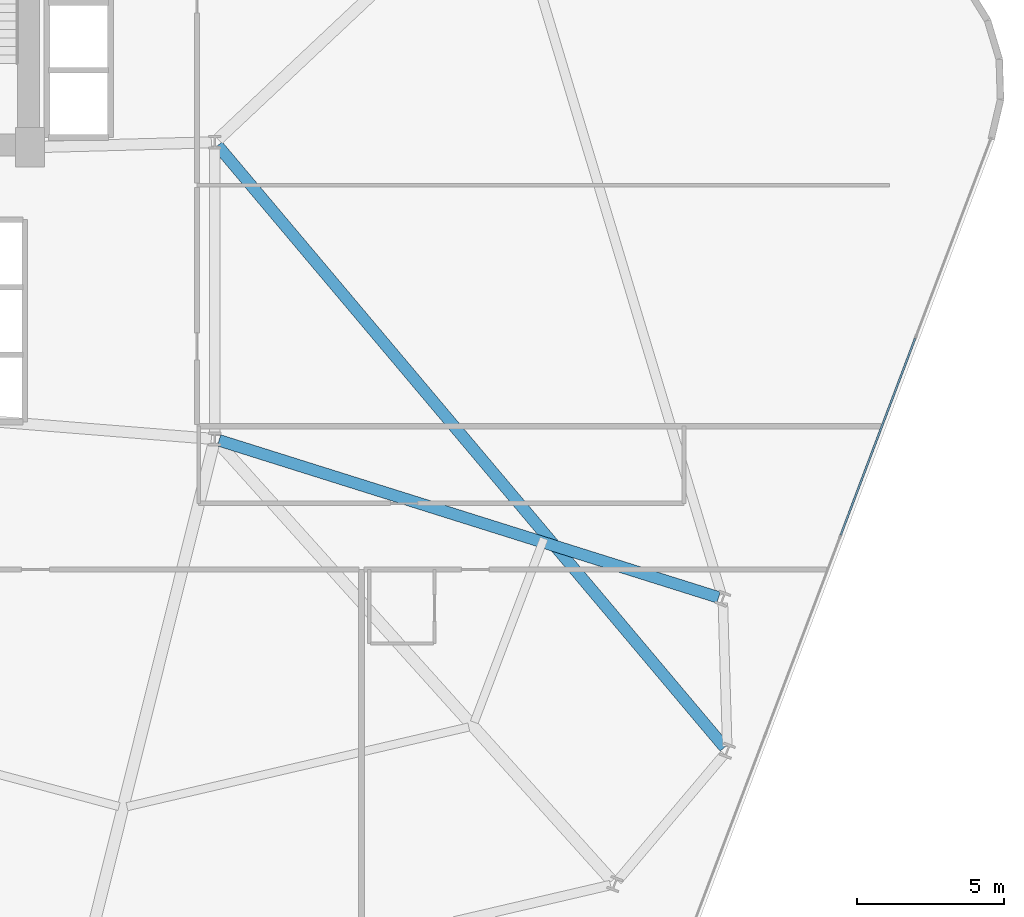
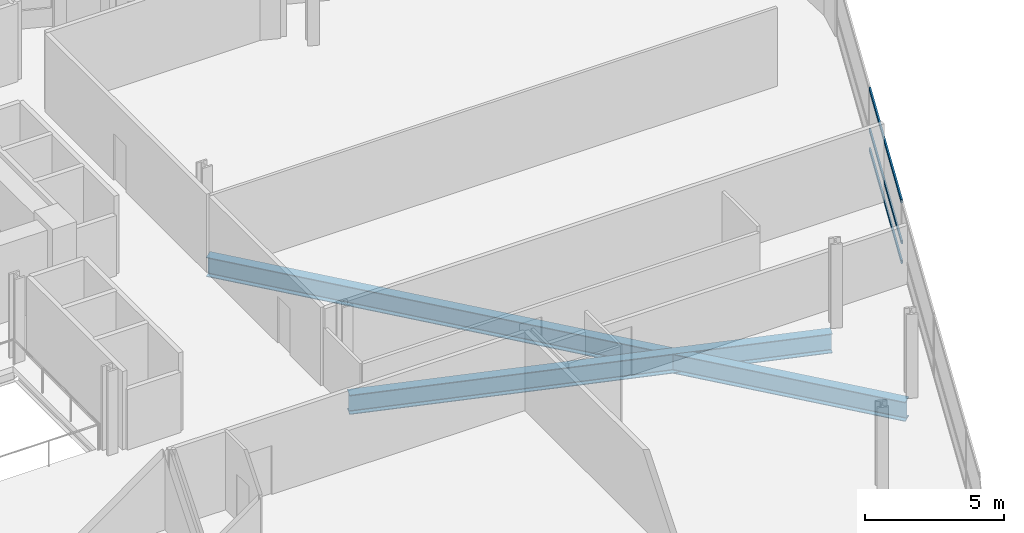
# One storey, part 12 of 24: 3 members, 2 beams, 1 element without a shape of its own.
"""IFC4 building model written with IfcOpenShell, lengths in metres."""

from ifc_helpers import new_model, si_unit, direction, frame, origin, origin_2d, place, context, subcontext, project, spatial, hollow_rectangle, i_section, extrude, material, layer, layer_set, material_profile, profile_set, type_object, element, aggregate, save


model = new_model("IFC4")

# Units and contexts
model_context = context("Model", 3, precision=1e-05, world=origin(), true_north=direction((0.0, 1.0)))
body_context = subcontext(model_context, "Body", "Model", "MODEL_VIEW")
ifc_project = project(units=[si_unit("LENGTHUNIT", "METRE"), si_unit("AREAUNIT", "SQUARE_METRE"), si_unit("VOLUMEUNIT", "CUBIC_METRE"), si_unit("PLANEANGLEUNIT", "RADIAN"), si_unit("MASSUNIT", "GRAM", prefix="KILO")], contexts=[model_context])

# Site, building, storey
site_placement = place(None, origin())
site = spatial("IfcSite", under=ifc_project, at=site_placement, CompositionType="ELEMENT")
building_placement = place(site_placement, origin())
building = spatial("IfcBuilding", under=site, at=building_placement, Name="Varnelok Gate Tower", CompositionType="ELEMENT")
storey_placement = place(building_placement, frame((0.0, 0.0, 87.300048828125)))
storey = spatial("IfcBuildingStorey", under=building, at=storey_placement, Name="L21", CompositionType="ELEMENT", Elevation=87.300048828125)

# Beams
ifc_material_1 = material(Name="Structural Steel ASTM A992 Grade 50", Category="steel")
ifc_material_profile_1 = material_profile(ifc_material_1, i_section(OverallWidth=0.39892578125, OverallDepth=0.85498046875, WebThickness=0.018310546875, FlangeThickness=0.029296875, FilletRadius=0.02392578125, at=origin_2d()), Name="W33X201")
ifc_profile_set_1 = profile_set([ifc_material_profile_1], Name="Structural Steel ASTM A992 Grade 50")
beam_type = type_object("IfcBeamType", Name="BM-PRI-W33X201", PredefinedType="BEAM", material=ifc_profile_set_1)
beam_1_placement = place(storey_placement, frame((54.0966796875, 28.805419921875, -0.677490234375), z_axis=(0.644241110533, -0.764822457502, 0.0), x_axis=(0.764822457502, 0.644241110533, 0.0)))
element("IfcBeam", 1, at=beam_1_placement, inside=storey, type_object=beam_type, Name="L21 Radial Floor Girder 7", PredefinedType="BEAM", context=body_context, shape_type="SweptSolid", body=[
    extrude(i_section(OverallWidth=0.39892578125, OverallDepth=0.85498046875, WebThickness=0.018310546875, FlangeThickness=0.029296875, FilletRadius=0.02392578125, at=origin_2d()), origin(), (0.0, 0.0, 1.0), 26.8271484375),
])
beam_2_placement = place(storey_placement, frame((54.14306640625, 18.7548828125, -0.677490234375), z_axis=(0.953948561039, -0.299970236678, 0.0), x_axis=(0.299970236678, 0.953948561039, 0.0)))
element("IfcBeam", 2, at=beam_2_placement, inside=storey, type_object=beam_type, Name="L21 Radial Floor Girder 8", PredefinedType="BEAM", context=body_context, shape_type="SweptSolid", body=[
    extrude(i_section(OverallWidth=0.39892578125, OverallDepth=0.85498046875, WebThickness=0.018310546875, FlangeThickness=0.029296875, FilletRadius=0.02392578125, at=origin_2d()), origin(), (0.0, 0.0, 1.0), 17.85498046875),
])

# Curtain wall, members
ifc_material_2 = material(Name="Anodized Aluminum Alloy 6063-T6", Category="aluminium")
ifc_layer = layer(ifc_material_2, 0.179931640625)
ifc_layer_set = layer_set([ifc_layer], Name="Anodized Aluminum Alloy 6063-T6")
curtain_wall_type = type_object("IfcCurtainWallType", Name="CW3-HOTEL-VISION", PredefinedType="USERDEFINED", material=ifc_layer_set)
curtain_wall_placement = place(storey_placement, origin())
curtain_wall = element("IfcCurtainWall", 3, at=curtain_wall_placement, inside=storey, type_object=curtain_wall_type, Name="L21 East End Vision Curtain Wall", ObjectType="UNITISED CURTAIN WALL", PredefinedType="USERDEFINED")
ifc_material_profile_2 = material_profile(ifc_material_2, hollow_rectangle(XDim=0.06494140625, YDim=0.159912109375, WallThickness=0.00390625, at=origin_2d()), Name="ALU160X65X4")
ifc_profile_set_2 = profile_set([ifc_material_profile_2], Name="Anodized Aluminum Alloy 6063-T6")
member_type = type_object("IfcMemberType", Name="CW-TRAN-160", PredefinedType="USERDEFINED", material=ifc_profile_set_2)
member_1_placement = place(storey_placement, frame((77.8798828125, 22.233642578125, 0.032470703125), z_axis=(-0.354048963644, -0.935226887628, 0.0), x_axis=(0.935226887628, -0.354048963644, 0.0)))
member_1 = element("IfcMember", 4, at=member_1_placement, type_object=member_type, Name="CW3 transom 2.1", ObjectType="TRANSOM", PredefinedType="USERDEFINED", context=body_context, shape_type="SweptSolid", body=[
    extrude(hollow_rectangle(XDim=0.06494140625, YDim=0.159912109375, WallThickness=0.00390625, at=origin_2d()), origin(), (0.0, 0.0, 1.0), 7.175048828125),
])
member_2_placement = place(storey_placement, frame((77.8798828125, 22.233642578125, 0.89990234375), z_axis=(-0.354048963644, -0.935226887628, 0.0), x_axis=(0.935226887628, -0.354048963644, 0.0)))
member_2 = element("IfcMember", 5, at=member_2_placement, type_object=member_type, Name="CW3 transom 2.2", ObjectType="TRANSOM", PredefinedType="USERDEFINED", context=body_context, shape_type="SweptSolid", body=[
    extrude(hollow_rectangle(XDim=0.06494140625, YDim=0.159912109375, WallThickness=0.00390625, at=origin_2d()), origin(), (0.0, 0.0, 1.0), 7.175048828125),
])
member_3_placement = place(storey_placement, frame((77.8798828125, 22.233642578125, 2.697509765625), z_axis=(-0.354048963644, -0.935226887628, 0.0), x_axis=(0.935226887628, -0.354048963644, 0.0)))
member_3 = element("IfcMember", 6, at=member_3_placement, type_object=member_type, Name="CW3 transom 2.3", ObjectType="TRANSOM", PredefinedType="USERDEFINED", context=body_context, shape_type="SweptSolid", body=[
    extrude(hollow_rectangle(XDim=0.06494140625, YDim=0.159912109375, WallThickness=0.00390625, at=origin_2d()), origin(), (0.0, 0.0, 1.0), 7.175048828125),
])
aggregate(curtain_wall, [member_1, member_2, member_3])

save(model, "model.ifc")
